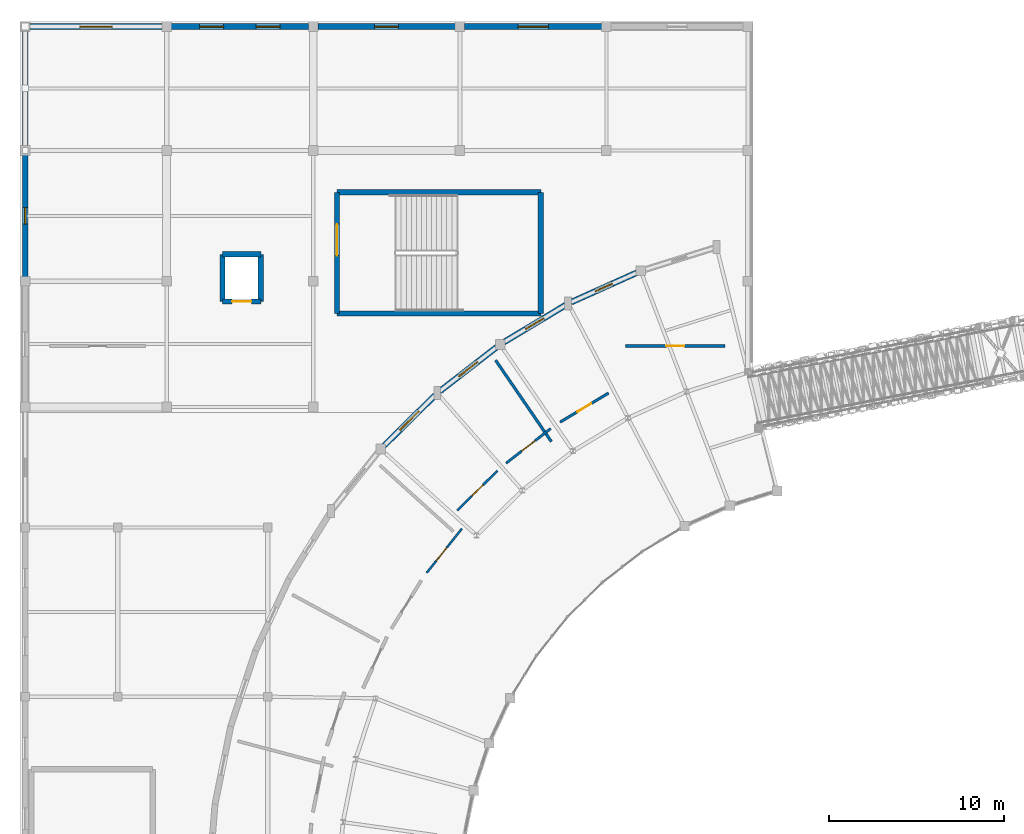
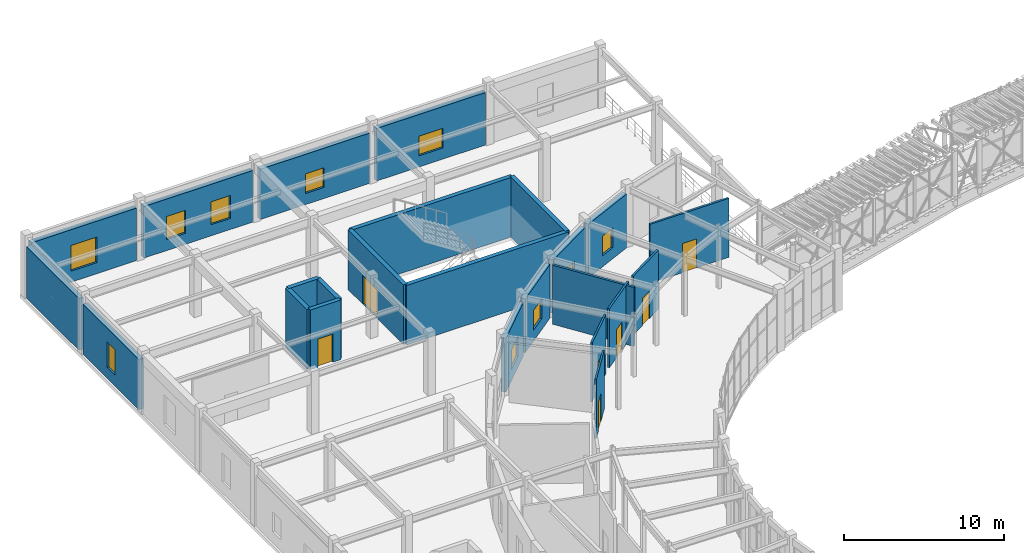
# One storey, part 108 of 144: 24 walls, 10 windows, 7 doors, 17 openings.
"""IFC4 building model written with IfcOpenShell, lengths in metres."""

from ifc_helpers import new_model, si_unit, direction, frame, frame_2d, origin, place, context, subcontext, project, spatial, rectangle, extrude, material, layer, layer_set, type_object, element, fill, save


model = new_model("IFC4")

# Units and contexts
model_context = context("Model", 3, precision=1e-05, world=origin(), true_north=direction((0.0, 1.0)))
body_context = subcontext(model_context, "Body", "Model", "MODEL_VIEW")
ifc_project = project(units=[si_unit("LENGTHUNIT", "METRE"), si_unit("AREAUNIT", "SQUARE_METRE"), si_unit("VOLUMEUNIT", "CUBIC_METRE"), si_unit("PLANEANGLEUNIT", "RADIAN"), si_unit("MASSUNIT", "GRAM", prefix="KILO")], contexts=[model_context])

# Site, building, storey
site_placement = place(None, origin())
site = spatial("IfcSite", under=ifc_project, at=site_placement, CompositionType="ELEMENT")
building_placement = place(site_placement, origin())
building = spatial("IfcBuilding", under=site, at=building_placement, Name="Cinderbank Siding Concert Hall", CompositionType="ELEMENT")
storey_placement = place(building_placement, frame((0.0, 0.0, 5.39990234375)))
storey = spatial("IfcBuildingStorey", under=building, at=storey_placement, Name="L02", CompositionType="ELEMENT", Elevation=5.39990234375)

# Wall, opening, door
ifc_material_1 = material(Name="Reinforced concrete AS 3600 N50 (50 MPa)", Category="concrete")
ifc_layer_1 = layer(ifc_material_1, 0.300048828125)
ifc_layer_set_1 = layer_set([ifc_layer_1], Name="Reinforced concrete AS 3600 N50 (50 MPa)")
wall_type_1 = type_object("IfcWallType", Name="WL-03 Structural Wall 300mm", PredefinedType="SHEAR", material=ifc_layer_set_1)
wall_1_placement = place(storey_placement, frame((24.9599609375, 101.4599609375, 0.0), z_axis=(0.0, 0.0, 1.0), x_axis=(0.0, 1.0, 0.0)))
wall_1 = element("IfcWall", 1, at=wall_1_placement, inside=storey, type_object=wall_type_1, Name="L02 ST-05 Core Wall ENTRY", PredefinedType="SHEAR", context=body_context, shape_type="SweptSolid", body=[
    extrude(rectangle(XDim=6.93994140625, YDim=0.300048828125, at=frame_2d((3.469970703125, 0.0))), origin(), (0.0, 0.0, 1.0), 4.550048828125),
])
opening_1_placement = place(wall_1_placement, frame((3.320068359375, 0.0, 0.0)))
opening_1 = element("IfcOpeningElement", 2, at=opening_1_placement, cuts=wall_1, Name="Opening D-05", PredefinedType="OPENING", context=body_context, shape_type="SweptSolid", body=[
    extrude(rectangle(XDim=1.800048828125, YDim=2.199951171875, at=frame_2d((0.89990234375, 1.10009765625))), frame((0.0, 0.162109375, 0.0), z_axis=(0.0, -1.0, 0.0), x_axis=(1.0, 0.0, 0.0)), (0.0, 0.0, 1.0), 0.323974609375),
])
ifc_material_2 = material(Name="Galvanised sheet steel acoustic fire door assembly", Category="steel")
door_type_1 = type_object("IfcDoorType", Name="D-05 Interior Door 1800x2200", OperationType="DOUBLE_DOOR_SINGLE_SWING", PredefinedType="DOOR", material=ifc_material_2)
door_1_placement = place(opening_1_placement, origin())
door_1 = element("IfcDoor", 3, at=door_1_placement, inside=storey, type_object=door_type_1, Name="L02 ST-05 Fire Stair Door L02-D031", OperationType="DOUBLE_DOOR_SINGLE_SWING", OverallHeight=2.199951171875, OverallWidth=1.800048828125, PredefinedType="DOOR", context=body_context, shape_type="SweptSolid", body=[
    extrude(rectangle(XDim=1.800048828125, YDim=2.199951171875, at=frame_2d((0.89990234375, 1.10009765625))), frame((0.0, 0.02490234375, 0.0), z_axis=(0.0, -1.0, 0.0), x_axis=(1.0, 0.0, 0.0)), (0.0, 0.0, 1.0), 0.050048828125),
])
fill(opening_1, door_1)

# Walls
wall_2_placement = place(storey_placement, frame((36.639892578125, 108.39990234375, 0.0), z_axis=(0.0, 0.0, 1.0), x_axis=(0.0, -1.0, 0.0)))
element("IfcWall", 4, at=wall_2_placement, inside=storey, type_object=wall_type_1, Name="L02 ST-05 Core Wall FAR", PredefinedType="SHEAR", context=body_context, shape_type="SweptSolid", body=[
    extrude(rectangle(XDim=6.93994140625, YDim=0.300048828125, at=frame_2d((3.469970703125, 0.0))), origin(), (0.0, 0.0, 1.0), 4.550048828125),
])
for number, where, z_axis, x_axis, name in (
    (5, (36.639892578125, 101.4599609375, 0.0), (0.0, 0.0, 1.0), (-1.0, 0.0, 0.0), "L02 ST-05 Core Wall SIDE1"),
    (6, (24.9599609375, 108.39990234375, 0.0), (0.0, 0.0, 1.0), (1.0, 0.0, 0.0), "L02 ST-05 Core Wall SIDE2"),
):
    element("IfcWall", number, at=place(storey_placement, frame(where, z_axis=z_axis, x_axis=x_axis)), inside=storey, type_object=wall_type_1, Name=name, PredefinedType="SHEAR", context=body_context, shape_type="SweptSolid", body=[
        extrude(rectangle(XDim=11.679931640625, YDim=0.300048828125, at=frame_2d((5.83984375, 0.0))), origin(), (0.0, 0.0, 1.0), 4.550048828125),
    ])

# Wall, opening, door
wall_3_placement = place(storey_placement, frame((20.60009765625, 102.14990234375, 0.0), z_axis=(0.0, 0.0, 1.0), x_axis=(-1.0, 0.0, 0.0)))
wall_3 = element("IfcWall", 7, at=wall_3_placement, inside=storey, type_object=wall_type_1, Name="L02 LF-06 Shaft Wall -Y", PredefinedType="SHEAR", context=body_context, shape_type="SweptSolid", body=[
    extrude(rectangle(XDim=2.2001953125, YDim=0.300048828125, at=frame_2d((1.10009765625, 0.0))), origin(), (0.0, 0.0, 1.0), 4.550048828125),
])
opening_2_placement = place(wall_3_placement, frame((0.550048828125, 0.0, 0.0)))
opening_2 = element("IfcOpeningElement", 8, at=opening_2_placement, cuts=wall_3, Name="Opening LD-01", PredefinedType="OPENING", context=body_context, shape_type="SweptSolid", body=[
    extrude(rectangle(XDim=1.10009765625, YDim=2.14990234375, at=frame_2d((0.550048828125, 1.074951171875))), frame((0.0, 0.162109375, 0.0), z_axis=(0.0, -1.0, 0.0), x_axis=(1.0, 0.0, 0.0)), (0.0, 0.0, 1.0), 0.323974609375),
])
door_type_2 = type_object("IfcDoorType", Name="LD-01 Interior Door 1100x2150", OperationType="DOUBLE_DOOR_SLIDING", PredefinedType="DOOR", material=ifc_material_2)
door_2_placement = place(opening_2_placement, origin())
door_2 = element("IfcDoor", 9, at=door_2_placement, inside=storey, type_object=door_type_2, Name="L02 LF-06 Sliding Landing Door", OperationType="DOUBLE_DOOR_SLIDING", OverallHeight=2.14990234375, OverallWidth=1.10009765625, PredefinedType="DOOR", context=body_context, shape_type="SweptSolid", body=[
    extrude(rectangle(XDim=1.10009765625, YDim=2.14990234375, at=frame_2d((0.550048828125, 1.074951171875))), frame((0.0, 0.02490234375, 0.0), z_axis=(0.0, -1.0, 0.0), x_axis=(1.0, 0.0, 0.0)), (0.0, 0.0, 1.0), 0.050048828125),
])
fill(opening_2, door_2)

# Walls
wall_4_placement = place(storey_placement, frame((20.60009765625, 104.85009765625, 0.0), z_axis=(0.0, 0.0, 1.0), x_axis=(0.0, -1.0, 0.0)))
element("IfcWall", 10, at=wall_4_placement, inside=storey, type_object=wall_type_1, Name="L02 LF-06 Shaft Wall +X", PredefinedType="SHEAR", context=body_context, shape_type="SweptSolid", body=[
    extrude(rectangle(XDim=2.7001953125, YDim=0.300048828125, at=frame_2d((1.35009765625, 0.0))), origin(), (0.0, 0.0, 1.0), 4.550048828125),
])
wall_5_placement = place(storey_placement, frame((18.39990234375, 104.85009765625, 0.0), z_axis=(0.0, 0.0, 1.0), x_axis=(1.0, 0.0, 0.0)))
element("IfcWall", 11, at=wall_5_placement, inside=storey, type_object=wall_type_1, Name="L02 LF-06 Shaft Wall +Y", PredefinedType="SHEAR", context=body_context, shape_type="SweptSolid", body=[
    extrude(rectangle(XDim=2.2001953125, YDim=0.300048828125, at=frame_2d((1.10009765625, 0.0))), origin(), (0.0, 0.0, 1.0), 4.550048828125),
])
wall_6_placement = place(storey_placement, frame((18.39990234375, 102.14990234375, 0.0), z_axis=(0.0, 0.0, 1.0), x_axis=(0.0, 1.0, 0.0)))
element("IfcWall", 12, at=wall_6_placement, inside=storey, type_object=wall_type_1, Name="L02 LF-06 Shaft Wall -X", PredefinedType="SHEAR", context=body_context, shape_type="SweptSolid", body=[
    extrude(rectangle(XDim=2.7001953125, YDim=0.300048828125, at=frame_2d((1.35009765625, 0.0))), origin(), (0.0, 0.0, 1.0), 4.550048828125),
])

# Wall, opening, window
ifc_material_3 = material(Name="Clinker clay brickwork masonry AS 3700 (20 MPa)", Category="masonry")
ifc_layer_2 = layer(ifc_material_3, 0.340087890625)
ifc_layer_set_2 = layer_set([ifc_layer_2], Name="Clinker clay brickwork masonry AS 3700 (20 MPa)")
wall_type_2 = type_object("IfcWallType", Name="WL-07 Exterior Wall 340mm", PredefinedType="STANDARD", material=ifc_layer_set_2)
wall_7_placement = place(storey_placement, frame((42.126708984375, 103.790771484375, 0.0), z_axis=(0.0, 0.0, 1.0), x_axis=(-0.912105926967, -0.409954604794, 0.0)))
wall_7 = element("IfcWall", 13, at=wall_7_placement, inside=storey, type_object=wall_type_2, Name="L02 Facade Wall EW-WOUT-L02-02", PredefinedType="STANDARD", context=body_context, shape_type="SweptSolid", body=[
    extrude(rectangle(XDim=4.10986328125, YDim=0.340087890625, at=frame_2d((2.054931640625, 0.0))), origin(), (0.0, 0.0, 1.0), 4.107177734375),
])
opening_3_placement = place(wall_7_placement, frame((1.514892578125, 0.0, 0.85009765625)))
opening_3 = element("IfcOpeningElement", 14, at=opening_3_placement, cuts=wall_7, Name="Opening WN-26", PredefinedType="OPENING", context=body_context, shape_type="SweptSolid", body=[
    extrude(rectangle(XDim=1.080078125, YDim=1.5, at=frame_2d((0.5400390625, 0.75))), frame((0.0, 0.18212890625, 0.0), z_axis=(0.0, -1.0, 0.0), x_axis=(1.0, 0.0, 0.0)), (0.0, 0.0, 1.0), 0.364013671875),
])
ifc_material_4 = material(Name="Double-glazed laminated acoustic glass", Category="glass")
window_type_1 = type_object("IfcWindowType", Name="WN-26 Acoustic Casement Window 1080x1500", PartitioningType="DOUBLE_PANEL_VERTICAL", PredefinedType="WINDOW", material=ifc_material_4)
window_1_placement = place(opening_3_placement, origin())
window_1 = element("IfcWindow", 15, at=window_1_placement, inside=storey, type_object=window_type_1, Name="L02 Facade Window #12", OverallHeight=1.5, OverallWidth=1.080078125, PartitioningType="DOUBLE_PANEL_VERTICAL", PredefinedType="WINDOW", context=body_context, shape_type="SweptSolid", body=[
    extrude(rectangle(XDim=1.080078125, YDim=1.5, at=frame_2d((0.5400390625, 0.75))), frame((0.0, 0.030029296875, 0.0), z_axis=(0.0, -1.0, 0.0), x_axis=(1.0, 0.0, 0.0)), (0.0, 0.0, 1.0), 0.06005859375),
])
fill(opening_3, window_1)

wall_8_placement = place(storey_placement, frame((34.5283203125, 99.818359375, 0.0), z_axis=(0.0, 0.0, 1.0), x_axis=(0.85717299245, 0.515028602131, 0.0)))
wall_8 = element("IfcWall", 16, at=wall_8_placement, inside=storey, type_object=wall_type_2, Name="L02 Facade Wall EW-WOUT-L02-03", PredefinedType="STANDARD", context=body_context, shape_type="SweptSolid", body=[
    extrude(rectangle(XDim=4.109375, YDim=0.340087890625, at=frame_2d((2.0546875, 0.0))), origin(), (0.0, 0.0, 1.0), 4.107177734375),
])
opening_4_placement = place(wall_8_placement, frame((1.44482421875, 0.0, 0.85009765625)))
opening_4 = element("IfcOpeningElement", 17, at=opening_4_placement, cuts=wall_8, Name="Opening WN-27", PredefinedType="OPENING", context=body_context, shape_type="SweptSolid", body=[
    extrude(rectangle(XDim=1.219970703125, YDim=1.5, at=frame_2d((0.60986328125, 0.75))), frame((0.0, 0.18212890625, 0.0), z_axis=(0.0, -1.0, 0.0), x_axis=(1.0, 0.0, 0.0)), (0.0, 0.0, 1.0), 0.364013671875),
])
window_type_2 = type_object("IfcWindowType", Name="WN-27 Acoustic Casement Window 1220x1500", PartitioningType="DOUBLE_PANEL_VERTICAL", PredefinedType="WINDOW", material=ifc_material_4)
window_2_placement = place(opening_4_placement, origin())
window_2 = element("IfcWindow", 18, at=window_2_placement, inside=storey, type_object=window_type_2, Name="L02 Facade Window #13", OverallHeight=1.5, OverallWidth=1.219970703125, PartitioningType="DOUBLE_PANEL_VERTICAL", PredefinedType="WINDOW", context=body_context, shape_type="SweptSolid", body=[
    extrude(rectangle(XDim=1.219970703125, YDim=1.5, at=frame_2d((0.60986328125, 0.75))), frame((0.0, 0.030029296875, 0.0), z_axis=(0.0, -1.0, 0.0), x_axis=(1.0, 0.0, 0.0)), (0.0, 0.0, 1.0), 0.06005859375),
])
fill(opening_4, window_2)

wall_9_placement = place(storey_placement, frame((34.099853515625, 99.52490234375, 0.0), z_axis=(0.0, 0.0, 1.0), x_axis=(-0.790164022378, -0.612895437852, 0.0)))
wall_9 = element("IfcWall", 19, at=wall_9_placement, inside=storey, type_object=wall_type_2, Name="L02 Facade Wall EW-WOUT-L02-04", PredefinedType="STANDARD", context=body_context, shape_type="SweptSolid", body=[
    extrude(rectangle(XDim=4.109619140625, YDim=0.340087890625, at=frame_2d((2.0546875, 0.0))), origin(), (0.0, 0.0, 1.0), 4.107177734375),
])
opening_5_placement = place(wall_9_placement, frame((1.375, 0.0, 0.85009765625)))
opening_5 = element("IfcOpeningElement", 20, at=opening_5_placement, cuts=wall_9, Name="Opening WN-28", PredefinedType="OPENING", context=body_context, shape_type="SweptSolid", body=[
    extrude(rectangle(XDim=1.360107421875, YDim=1.5, at=frame_2d((0.68017578125, 0.75))), frame((0.0, 0.18212890625, 0.0), z_axis=(0.0, -1.0, 0.0), x_axis=(1.0, 0.0, 0.0)), (0.0, 0.0, 1.0), 0.364013671875),
])
window_type_3 = type_object("IfcWindowType", Name="WN-28 Acoustic Casement Window 1360x1500", PartitioningType="DOUBLE_PANEL_VERTICAL", PredefinedType="WINDOW", material=ifc_material_4)
window_3_placement = place(opening_5_placement, origin())
window_3 = element("IfcWindow", 21, at=window_3_placement, inside=storey, type_object=window_type_3, Name="L02 Facade Window #14", OverallHeight=1.5, OverallWidth=1.360107421875, PartitioningType="DOUBLE_PANEL_VERTICAL", PredefinedType="WINDOW", context=body_context, shape_type="SweptSolid", body=[
    extrude(rectangle(XDim=1.360107421875, YDim=1.5, at=frame_2d((0.68017578125, 0.75))), frame((0.0, 0.030029296875, 0.0), z_axis=(0.0, -1.0, 0.0), x_axis=(1.0, 0.0, 0.0)), (0.0, 0.0, 1.0), 0.06005859375),
])
fill(opening_5, window_3)

wall_10_placement = place(storey_placement, frame((30.57470703125, 96.7626953125, 0.0), z_axis=(0.0, 0.0, 1.0), x_axis=(-0.712079133949, -0.702099214495, 0.0)))
wall_10 = element("IfcWall", 22, at=wall_10_placement, inside=storey, type_object=wall_type_2, Name="L02 Facade Wall EW-WOUT-L02-05", PredefinedType="STANDARD", context=body_context, shape_type="SweptSolid", body=[
    extrude(rectangle(XDim=4.10986328125, YDim=0.340087890625, at=frame_2d((2.054931640625, 0.0))), origin(), (0.0, 0.0, 1.0), 4.107177734375),
])
opening_6_placement = place(wall_10_placement, frame((1.27978515625, 0.0, 0.85009765625)))
opening_6 = element("IfcOpeningElement", 23, at=opening_6_placement, cuts=wall_10, Name="Opening WN-29", PredefinedType="OPENING", context=body_context, shape_type="SweptSolid", body=[
    extrude(rectangle(XDim=1.550048828125, YDim=1.5, at=frame_2d((0.77490234375, 0.75))), frame((0.0, 0.18212890625, 0.0), z_axis=(0.0, -1.0, 0.0), x_axis=(1.0, 0.0, 0.0)), (0.0, 0.0, 1.0), 0.364013671875),
])
window_type_4 = type_object("IfcWindowType", Name="WN-29 Acoustic Casement Window 1550x1500", PartitioningType="DOUBLE_PANEL_VERTICAL", PredefinedType="WINDOW", material=ifc_material_4)
window_4_placement = place(opening_6_placement, origin())
window_4 = element("IfcWindow", 24, at=window_4_placement, inside=storey, type_object=window_type_4, Name="L02 Facade Window #15", OverallHeight=1.5, OverallWidth=1.550048828125, PartitioningType="DOUBLE_PANEL_VERTICAL", PredefinedType="WINDOW", context=body_context, shape_type="SweptSolid", body=[
    extrude(rectangle(XDim=1.550048828125, YDim=1.5, at=frame_2d((0.77490234375, 0.75))), frame((0.0, 0.030029296875, 0.0), z_axis=(0.0, -1.0, 0.0), x_axis=(1.0, 0.0, 0.0)), (0.0, 0.0, 1.0), 0.06005859375),
])
fill(opening_6, window_4)

wall_11_placement = place(storey_placement, frame((7.10009765625, 103.56005859375, 0.0), z_axis=(0.0, 0.0, 1.0), x_axis=(0.0, 1.0, 0.0)))
wall_11 = element("IfcWall", 25, at=wall_11_placement, inside=storey, type_object=wall_type_2, Name="L02 Facade Wall EW-NW-W2-L02", PredefinedType="STANDARD", context=body_context, shape_type="SweptSolid", body=[
    extrude(rectangle(XDim=6.97998046875, YDim=0.340087890625, at=frame_2d((3.489990234375, 0.0))), origin(), (0.0, 0.0, 1.0), 3.837158203125),
])
opening_7_placement = place(wall_11_placement, frame((3.014892578125, 0.0, 0.85009765625)))
opening_7 = element("IfcOpeningElement", 26, at=opening_7_placement, cuts=wall_11, Name="Opening WN-10", PredefinedType="OPENING", context=body_context, shape_type="SweptSolid", body=[
    extrude(rectangle(XDim=0.949951171875, YDim=1.949951171875, at=frame_2d((0.47509765625, 0.97509765625))), frame((0.0, 0.18212890625, 0.0), z_axis=(0.0, -1.0, 0.0), x_axis=(1.0, 0.0, 0.0)), (0.0, 0.0, 1.0), 0.364013671875),
])
window_type_5 = type_object("IfcWindowType", Name="WN-10 Acoustic Casement Window 950x1950", PartitioningType="DOUBLE_PANEL_VERTICAL", PredefinedType="WINDOW", material=ifc_material_4)
window_5_placement = place(opening_7_placement, origin())
window_5 = element("IfcWindow", 27, at=window_5_placement, inside=storey, type_object=window_type_5, Name="L02 Facade Window #118", OverallHeight=1.949951171875, OverallWidth=0.949951171875, PartitioningType="DOUBLE_PANEL_VERTICAL", PredefinedType="WINDOW", context=body_context, shape_type="SweptSolid", body=[
    extrude(rectangle(XDim=0.949951171875, YDim=1.949951171875, at=frame_2d((0.47509765625, 0.97509765625))), frame((0.0, 0.030029296875, 0.0), z_axis=(0.0, -1.0, 0.0), x_axis=(1.0, 0.0, 0.0)), (0.0, 0.0, 1.0), 0.06005859375),
])
fill(opening_7, window_5)

# Wall
wall_12_placement = place(storey_placement, frame((7.10009765625, 111.06005859375, 0.0), z_axis=(0.0, 0.0, 1.0), x_axis=(0.0, 1.0, 0.0)))
element("IfcWall", 28, at=wall_12_placement, inside=storey, type_object=wall_type_2, Name="L02 Facade Wall EW-NW-W3-L02", PredefinedType="STANDARD", context=body_context, shape_type="SweptSolid", body=[
    extrude(rectangle(XDim=6.579833984375, YDim=0.340087890625, at=frame_2d((3.2900390625, 0.0))), origin(), (0.0, 0.0, 1.0), 3.934814453125),
])

# Wall, opening, window
wall_13_placement = place(storey_placement, frame((7.360107421875, 117.89990234375, 0.0), z_axis=(0.0, 0.0, 1.0), x_axis=(1.0, 0.0, 0.0)))
wall_13 = element("IfcWall", 29, at=wall_13_placement, inside=storey, type_object=wall_type_2, Name="L02 Facade Wall EW-NW-N0-L02", PredefinedType="STANDARD", context=body_context, shape_type="SweptSolid", body=[
    extrude(rectangle(XDim=7.579833984375, YDim=0.340087890625, at=frame_2d((3.7900390625, 0.0))), origin(), (0.0, 0.0, 1.0), 4.0087890625),
])
opening_8_placement = place(wall_13_placement, frame((2.864990234375, 0.0, 0.85009765625)))
opening_8 = element("IfcOpeningElement", 30, at=opening_8_placement, cuts=wall_13, Name="Opening WN-16", PredefinedType="OPENING", context=body_context, shape_type="SweptSolid", body=[
    extrude(rectangle(XDim=1.85009765625, YDim=1.949951171875, at=frame_2d((0.925048828125, 0.97509765625))), frame((0.0, 0.18212890625, 0.0), z_axis=(0.0, -1.0, 0.0), x_axis=(1.0, 0.0, 0.0)), (0.0, 0.0, 1.0), 0.364013671875),
])
window_type_6 = type_object("IfcWindowType", Name="WN-16 Acoustic Casement Window 1850x1950", PartitioningType="DOUBLE_PANEL_VERTICAL", PredefinedType="WINDOW", material=ifc_material_4)
window_6_placement = place(opening_8_placement, origin())
window_6 = element("IfcWindow", 31, at=window_6_placement, inside=storey, type_object=window_type_6, Name="L02 Facade Window #124", OverallHeight=1.949951171875, OverallWidth=1.85009765625, PartitioningType="DOUBLE_PANEL_VERTICAL", PredefinedType="WINDOW", context=body_context, shape_type="SweptSolid", body=[
    extrude(rectangle(XDim=1.85009765625, YDim=1.949951171875, at=frame_2d((0.925048828125, 0.97509765625))), frame((0.0, 0.030029296875, 0.0), z_axis=(0.0, -1.0, 0.0), x_axis=(1.0, 0.0, 0.0)), (0.0, 0.0, 1.0), 0.06005859375),
])
fill(opening_8, window_6)

# Wall, openings, windows
wall_14_placement = place(storey_placement, frame((15.4599609375, 117.89990234375, 0.0), z_axis=(0.0, 0.0, 1.0), x_axis=(1.0, 0.0, 0.0)))
wall_14 = element("IfcWall", 32, at=wall_14_placement, inside=storey, type_object=wall_type_2, Name="L02 Facade Wall EW-NW-N1-L02", PredefinedType="STANDARD", context=body_context, shape_type="SweptSolid", body=[
    extrude(rectangle(XDim=7.880126953125, YDim=0.340087890625, at=frame_2d((3.93994140625, 0.0))), origin(), (0.0, 0.0, 1.0), 3.934814453125),
])
opening_9_placement = place(wall_14_placement, frame((1.6298828125, 0.0, 0.85009765625)))
opening_9 = element("IfcOpeningElement", 33, at=opening_9_placement, cuts=wall_14, Name="Opening WN-21", PredefinedType="OPENING", context=body_context, shape_type="SweptSolid", body=[
    extrude(rectangle(XDim=1.3798828125, YDim=1.75, at=frame_2d((0.68994140625, 0.875))), frame((0.0, 0.18212890625, 0.0), z_axis=(0.0, -1.0, 0.0), x_axis=(1.0, 0.0, 0.0)), (0.0, 0.0, 1.0), 0.364013671875),
])
opening_10_placement = place(wall_14_placement, frame((4.8701171875, 0.0, 0.85009765625)))
opening_10 = element("IfcOpeningElement", 34, at=opening_10_placement, cuts=wall_14, Name="Opening WN-21", PredefinedType="OPENING", context=body_context, shape_type="SweptSolid", body=[
    extrude(rectangle(XDim=1.3798828125, YDim=1.75, at=frame_2d((0.68994140625, 0.875))), frame((0.0, 0.18212890625, 0.0), z_axis=(0.0, -1.0, 0.0), x_axis=(1.0, 0.0, 0.0)), (0.0, 0.0, 1.0), 0.364013671875),
])
window_type_7 = type_object("IfcWindowType", Name="WN-21 Acoustic Casement Window 1380x1750", PartitioningType="DOUBLE_PANEL_VERTICAL", PredefinedType="WINDOW", material=ifc_material_4)
window_7_placement = place(opening_9_placement, origin())
window_7 = element("IfcWindow", 35, at=window_7_placement, inside=storey, type_object=window_type_7, Name="L02 Facade Window #129", OverallHeight=1.75, OverallWidth=1.3798828125, PartitioningType="DOUBLE_PANEL_VERTICAL", PredefinedType="WINDOW", context=body_context, shape_type="SweptSolid", body=[
    extrude(rectangle(XDim=1.3798828125, YDim=1.75, at=frame_2d((0.68994140625, 0.875))), frame((0.0, 0.030029296875, 0.0), z_axis=(0.0, -1.0, 0.0), x_axis=(1.0, 0.0, 0.0)), (0.0, 0.0, 1.0), 0.06005859375),
])
fill(opening_9, window_7)
window_8_placement = place(opening_10_placement, origin())
window_8 = element("IfcWindow", 36, at=window_8_placement, inside=storey, type_object=window_type_7, Name="L02 Facade Window #130", OverallHeight=1.75, OverallWidth=1.3798828125, PartitioningType="DOUBLE_PANEL_VERTICAL", PredefinedType="WINDOW", context=body_context, shape_type="SweptSolid", body=[
    extrude(rectangle(XDim=1.3798828125, YDim=1.75, at=frame_2d((0.68994140625, 0.875))), frame((0.0, 0.030029296875, 0.0), z_axis=(0.0, -1.0, 0.0), x_axis=(1.0, 0.0, 0.0)), (0.0, 0.0, 1.0), 0.06005859375),
])
fill(opening_10, window_8)

# Wall, opening, window
wall_15_placement = place(storey_placement, frame((23.860107421875, 117.89990234375, 0.0), z_axis=(0.0, 0.0, 1.0), x_axis=(1.0, 0.0, 0.0)))
wall_15 = element("IfcWall", 37, at=wall_15_placement, inside=storey, type_object=wall_type_2, Name="L02 Facade Wall EW-NW-N1B-L02", PredefinedType="STANDARD", context=body_context, shape_type="SweptSolid", body=[
    extrude(rectangle(XDim=7.8798828125, YDim=0.340087890625, at=frame_2d((3.93994140625, 0.0))), origin(), (0.0, 0.0, 1.0), 3.837158203125),
])
opening_11_placement = place(wall_15_placement, frame((3.260009765625, 0.0, 0.85009765625)))
opening_11 = element("IfcOpeningElement", 38, at=opening_11_placement, cuts=wall_15, Name="Opening WN-28", PredefinedType="OPENING", context=body_context, shape_type="SweptSolid", body=[
    extrude(rectangle(XDim=1.360107421875, YDim=1.5, at=frame_2d((0.68017578125, 0.75))), frame((0.0, 0.18212890625, 0.0), z_axis=(0.0, -1.0, 0.0), x_axis=(1.0, 0.0, 0.0)), (0.0, 0.0, 1.0), 0.364013671875),
])
window_9_placement = place(opening_11_placement, origin())
window_9 = element("IfcWindow", 39, at=window_9_placement, inside=storey, type_object=window_type_3, Name="L02 Facade Window #135", OverallHeight=1.5, OverallWidth=1.360107421875, PartitioningType="DOUBLE_PANEL_VERTICAL", PredefinedType="WINDOW", context=body_context, shape_type="SweptSolid", body=[
    extrude(rectangle(XDim=1.360107421875, YDim=1.5, at=frame_2d((0.68017578125, 0.75))), frame((0.0, 0.030029296875, 0.0), z_axis=(0.0, -1.0, 0.0), x_axis=(1.0, 0.0, 0.0)), (0.0, 0.0, 1.0), 0.06005859375),
])
fill(opening_11, window_9)

wall_16_placement = place(storey_placement, frame((32.260009765625, 117.89990234375, 0.0), z_axis=(0.0, 0.0, 1.0), x_axis=(1.0, 0.0, 0.0)))
wall_16 = element("IfcWall", 40, at=wall_16_placement, inside=storey, type_object=wall_type_2, Name="L02 Facade Wall EW-NW-N2-L02", PredefinedType="STANDARD", context=body_context, shape_type="SweptSolid", body=[
    extrude(rectangle(XDim=7.8798828125, YDim=0.340087890625, at=frame_2d((3.93994140625, 0.0))), origin(), (0.0, 0.0, 1.0), 4.0087890625),
])
opening_12_placement = place(wall_16_placement, frame((3.06494140625, 0.0, 0.85009765625)))
opening_12 = element("IfcOpeningElement", 41, at=opening_12_placement, cuts=wall_16, Name="Opening WN-30", PredefinedType="OPENING", context=body_context, shape_type="SweptSolid", body=[
    extrude(rectangle(XDim=1.75, YDim=1.5, at=frame_2d((0.875, 0.75))), frame((0.0, 0.18212890625, 0.0), z_axis=(0.0, -1.0, 0.0), x_axis=(1.0, 0.0, 0.0)), (0.0, 0.0, 1.0), 0.364013671875),
])
window_type_8 = type_object("IfcWindowType", Name="WN-30 Acoustic Casement Window 1750x1500", PartitioningType="DOUBLE_PANEL_VERTICAL", PredefinedType="WINDOW", material=ifc_material_4)
window_10_placement = place(opening_12_placement, origin())
window_10 = element("IfcWindow", 42, at=window_10_placement, inside=storey, type_object=window_type_8, Name="L02 Facade Window #138", OverallHeight=1.5, OverallWidth=1.75, PartitioningType="DOUBLE_PANEL_VERTICAL", PredefinedType="WINDOW", context=body_context, shape_type="SweptSolid", body=[
    extrude(rectangle(XDim=1.75, YDim=1.5, at=frame_2d((0.875, 0.75))), frame((0.0, 0.030029296875, 0.0), z_axis=(0.0, -1.0, 0.0), x_axis=(1.0, 0.0, 0.0)), (0.0, 0.0, 1.0), 0.06005859375),
])
fill(opening_12, window_10)

# Wall
ifc_material_5 = material(Name="Acoustic plasterboard on light-gauge steel studs", Category="gypsum")
ifc_layer_3 = layer(ifc_material_5, 0.159912109375)
ifc_layer_set_3 = layer_set([ifc_layer_3], Name="Acoustic plasterboard on light-gauge steel studs")
wall_type_3 = type_object("IfcWallType", Name="WL-14 Interior Wall 160mm", PredefinedType="PARTITIONING", material=ifc_layer_set_3)
wall_17_placement = place(storey_placement, frame((37.2421875, 94.12060546875, 0.0), z_axis=(0.0, 0.0, 1.0), x_axis=(-0.5649286392, 0.825139765501, 0.0)))
element("IfcWall", 43, at=wall_17_placement, inside=storey, type_object=wall_type_3, Name="L02 Radial Studio Demising Wall W04", PredefinedType="PARTITIONING", context=body_context, shape_type="SweptSolid", body=[
    extrude(rectangle(XDim=5.650146484375, YDim=0.159912109375, at=frame_2d((2.8251953125, 0.0))), origin(), (0.0, 0.0, 1.0), 4.505126953125),
])

# Wall, opening, door
ifc_layer_4 = layer(ifc_material_5, 0.14990234375)
ifc_layer_set_4 = layer_set([ifc_layer_4], Name="Acoustic plasterboard on light-gauge steel studs")
wall_type_4 = type_object("IfcWallType", Name="WL-15 Interior Wall 150mm", PredefinedType="PARTITIONING", material=ifc_layer_set_4)
wall_18_placement = place(storey_placement, frame((40.522216796875, 96.90185546875, 0.0), z_axis=(0.0, 0.0, 1.0), x_axis=(-0.857160006547, -0.515050214229, 0.0)))
wall_18 = element("IfcWall", 44, at=wall_18_placement, inside=storey, type_object=wall_type_4, Name="L02 Partition Studio Bay W03", PredefinedType="PARTITIONING", context=body_context, shape_type="SweptSolid", body=[
    extrude(rectangle(XDim=3.237060546875, YDim=0.14990234375, at=frame_2d((1.61865234375, 0.0))), origin(), (0.0, 0.0, 1.0), 4.505126953125),
])
opening_13_placement = place(wall_18_placement, frame((1.158447265625, 0.0, 0.0)))
opening_13 = element("IfcOpeningElement", 45, at=opening_13_placement, cuts=wall_18, Name="Opening D-09", PredefinedType="OPENING", context=body_context, shape_type="SweptSolid", body=[
    extrude(rectangle(XDim=0.919921875, YDim=2.10009765625, at=frame_2d((0.4599609375, 1.050048828125))), frame((0.0, 0.0869140625, 0.0), z_axis=(0.0, -1.0, 0.0), x_axis=(1.0, 0.0, 0.0)), (0.0, 0.0, 1.0), 0.173828125),
])
ifc_material_6 = material(Name="Solid-core spotted gum acoustic timber", Category="wood")
door_type_3 = type_object("IfcDoorType", Name="D-09 Interior Door 920x2100", OperationType="NOTDEFINED", PredefinedType="DOOR", material=ifc_material_6)
door_3_placement = place(opening_13_placement, origin())
door_3 = element("IfcDoor", 46, at=door_3_placement, inside=storey, type_object=door_type_3, Name="L02 Studio Bay W03 Door L02-D199", OperationType="SINGLE_SWING_RIGHT", OverallHeight=2.10009765625, OverallWidth=0.919921875, PredefinedType="DOOR", context=body_context, shape_type="SweptSolid", body=[
    extrude(rectangle(XDim=0.919921875, YDim=2.10009765625, at=frame_2d((0.4599609375, 1.050048828125))), frame((0.0, 0.02490234375, 0.0), z_axis=(0.0, -1.0, 0.0), x_axis=(1.0, 0.0, 0.0)), (0.0, 0.0, 1.0), 0.050048828125),
])
fill(opening_13, door_3)

wall_19_placement = place(storey_placement, frame((41.5, 99.60009765625, 0.0), z_axis=(0.0, 0.0, 1.0), x_axis=(1.0, 0.0, 0.0)))
wall_19 = element("IfcWall", 47, at=wall_19_placement, inside=storey, type_object=wall_type_4, Name="L02 Partition Principal Dressing Suite 2", PredefinedType="PARTITIONING", context=body_context, shape_type="SweptSolid", body=[
    extrude(rectangle(XDim=5.699951171875, YDim=0.14990234375, at=frame_2d((2.85009765625, 0.0))), origin(), (0.0, 0.0, 1.0), 4.505126953125),
])
opening_14_placement = place(wall_19_placement, frame((2.340087890625, 0.0, 0.0)))
opening_14 = element("IfcOpeningElement", 48, at=opening_14_placement, cuts=wall_19, Name="Opening D-17", PredefinedType="OPENING", context=body_context, shape_type="SweptSolid", body=[
    extrude(rectangle(XDim=1.02001953125, YDim=2.219970703125, at=frame_2d((0.510009765625, 1.10986328125))), frame((0.0, 0.0869140625, 0.0), z_axis=(0.0, -1.0, 0.0), x_axis=(1.0, 0.0, 0.0)), (0.0, 0.0, 1.0), 0.173828125),
])
door_type_4 = type_object("IfcDoorType", Name="D-17 Interior Door 1020x2220", OperationType="NOTDEFINED", PredefinedType="DOOR", material=ifc_material_6)
door_4_placement = place(opening_14_placement, origin())
door_4 = element("IfcDoor", 49, at=door_4_placement, inside=storey, type_object=door_type_4, Name="L02 Principal Dressing Suite 2 Door L02-D263", OperationType="SINGLE_SWING_LEFT", OverallHeight=2.219970703125, OverallWidth=1.02001953125, PredefinedType="DOOR", context=body_context, shape_type="SweptSolid", body=[
    extrude(rectangle(XDim=1.02001953125, YDim=2.219970703125, at=frame_2d((0.510009765625, 1.10986328125))), frame((0.0, 0.02490234375, 0.0), z_axis=(0.0, -1.0, 0.0), x_axis=(1.0, 0.0, 0.0)), (0.0, 0.0, 1.0), 0.050048828125),
])
fill(opening_14, door_4)

ifc_layer_5 = layer(ifc_material_5, 0.139892578125)
ifc_layer_set_5 = layer_set([ifc_layer_5], Name="Acoustic plasterboard on light-gauge steel studs")
wall_type_5 = type_object("IfcWallType", Name="WL-16 Interior Wall 140mm", PredefinedType="PARTITIONING", material=ifc_layer_set_5)
wall_20_placement = place(storey_placement, frame((37.208984375, 94.865966796875, 0.0), z_axis=(0.0, 0.0, 1.0), x_axis=(-0.790184021541, -0.612869653435, 0.0)))
wall_20 = element("IfcWall", 50, at=wall_20_placement, inside=storey, type_object=wall_type_5, Name="L02 Partition Studio Bay W04", PredefinedType="PARTITIONING", context=body_context, shape_type="SweptSolid", body=[
    extrude(rectangle(XDim=3.237060546875, YDim=0.139892578125, at=frame_2d((1.61865234375, 0.0))), origin(), (0.0, 0.0, 1.0), 4.505126953125),
])
opening_15_placement = place(wall_20_placement, frame((1.12841796875, 0.0, 0.0)))
opening_15 = element("IfcOpeningElement", 51, at=opening_15_placement, cuts=wall_20, Name="Opening D-10", PredefinedType="OPENING", context=body_context, shape_type="SweptSolid", body=[
    extrude(rectangle(XDim=0.97998046875, YDim=2.14990234375, at=frame_2d((0.489990234375, 1.074951171875))), frame((0.0, 0.08203125, 0.0), z_axis=(0.0, -1.0, 0.0), x_axis=(1.0, 0.0, 0.0)), (0.0, 0.0, 1.0), 0.163818359375),
])
door_type_5 = type_object("IfcDoorType", Name="D-10 Interior Door 980x2150", OperationType="NOTDEFINED", PredefinedType="DOOR", material=ifc_material_6)
door_5_placement = place(opening_15_placement, origin())
door_5 = element("IfcDoor", 52, at=door_5_placement, inside=storey, type_object=door_type_5, Name="L02 Studio Bay W04 Door L02-D200", OperationType="SINGLE_SWING_LEFT", OverallHeight=2.14990234375, OverallWidth=0.97998046875, PredefinedType="DOOR", context=body_context, shape_type="SweptSolid", body=[
    extrude(rectangle(XDim=0.97998046875, YDim=2.14990234375, at=frame_2d((0.489990234375, 1.074951171875))), frame((0.0, 0.02490234375, 0.0), z_axis=(0.0, -1.0, 0.0), x_axis=(1.0, 0.0, 0.0)), (0.0, 0.0, 1.0), 0.050048828125),
])
fill(opening_15, door_5)

ifc_layer_6 = layer(ifc_material_5, 0.1298828125)
ifc_layer_set_6 = layer_set([ifc_layer_6], Name="Acoustic plasterboard on light-gauge steel studs")
wall_type_6 = type_object("IfcWallType", Name="WL-17 Interior Wall 130mm", PredefinedType="PARTITIONING", material=ifc_layer_set_6)
wall_21_placement = place(storey_placement, frame((34.16015625, 92.4521484375, 0.0), z_axis=(0.0, 0.0, 1.0), x_axis=(-0.712029460831, -0.702149590122, 0.0)))
wall_21 = element("IfcWall", 53, at=wall_21_placement, inside=storey, type_object=wall_type_6, Name="L02 Partition Studio Bay W05", PredefinedType="PARTITIONING", context=body_context, shape_type="SweptSolid", body=[
    extrude(rectangle(XDim=3.237060546875, YDim=0.1298828125, at=frame_2d((1.61865234375, 0.0))), origin(), (0.0, 0.0, 1.0), 4.505126953125),
])
opening_16_placement = place(wall_21_placement, frame((1.16845703125, 0.0, 0.0)))
opening_16 = element("IfcOpeningElement", 54, at=opening_16_placement, cuts=wall_21, Name="Opening D-15", PredefinedType="OPENING", context=body_context, shape_type="SweptSolid", body=[
    extrude(rectangle(XDim=0.89990234375, YDim=2.10009765625, at=frame_2d((0.449951171875, 1.050048828125))), frame((0.0, 0.076904296875, 0.0), z_axis=(0.0, -1.0, 0.0), x_axis=(1.0, 0.0, 0.0)), (0.0, 0.0, 1.0), 0.15380859375),
])
door_type_6 = type_object("IfcDoorType", Name="D-15 Interior Door 900x2100", OperationType="NOTDEFINED", PredefinedType="DOOR", material=ifc_material_6)
door_6_placement = place(opening_16_placement, origin())
door_6 = element("IfcDoor", 55, at=door_6_placement, inside=storey, type_object=door_type_6, Name="L02 Studio Bay W05 Door L02-D201", OperationType="SINGLE_SWING_RIGHT", OverallHeight=2.10009765625, OverallWidth=0.89990234375, PredefinedType="DOOR", context=body_context, shape_type="SweptSolid", body=[
    extrude(rectangle(XDim=0.89990234375, YDim=2.10009765625, at=frame_2d((0.449951171875, 1.050048828125))), frame((0.0, 0.02490234375, 0.0), z_axis=(0.0, -1.0, 0.0), x_axis=(1.0, 0.0, 0.0)), (0.0, 0.0, 1.0), 0.050048828125),
])
fill(opening_16, door_6)

ifc_layer_7 = layer(ifc_material_5, 0.1201171875)
ifc_layer_set_7 = layer_set([ifc_layer_7], Name="Acoustic plasterboard on light-gauge steel studs")
wall_type_7 = type_object("IfcWallType", Name="WL-18 Interior Wall 120mm", PredefinedType="PARTITIONING", material=ifc_layer_set_7)
wall_22_placement = place(storey_placement, frame((32.121826171875, 89.132568359375, 0.0), z_axis=(0.0, 0.0, 1.0), x_axis=(-0.623885312235, -0.781515909741, 0.0)))
wall_22 = element("IfcWall", 56, at=wall_22_placement, inside=storey, type_object=wall_type_7, Name="L02 Partition Studio Bay W06", PredefinedType="PARTITIONING", context=body_context, shape_type="SweptSolid", body=[
    extrude(rectangle(XDim=3.237060546875, YDim=0.1201171875, at=frame_2d((1.61865234375, 0.0))), origin(), (0.0, 0.0, 1.0), 4.505126953125),
])
opening_17_placement = place(wall_22_placement, frame((1.388427734375, 0.0, 0.0)))
opening_17 = element("IfcOpeningElement", 57, at=opening_17_placement, cuts=wall_22, Name="Opening D-16", PredefinedType="OPENING", context=body_context, shape_type="SweptSolid", body=[
    extrude(rectangle(XDim=0.9599609375, YDim=2.179931640625, at=frame_2d((0.47998046875, 1.08984375))), frame((0.0, 0.072021484375, 0.0), z_axis=(0.0, -1.0, 0.0), x_axis=(1.0, 0.0, 0.0)), (0.0, 0.0, 1.0), 0.14404296875),
])
door_type_7 = type_object("IfcDoorType", Name="D-16 Interior Door 960x2180", OperationType="NOTDEFINED", PredefinedType="DOOR", material=ifc_material_6)
door_7_placement = place(opening_17_placement, origin())
door_7 = element("IfcDoor", 58, at=door_7_placement, inside=storey, type_object=door_type_7, Name="L02 Studio Bay W06 Door L02-D202", OperationType="SINGLE_SWING_LEFT", OverallHeight=2.179931640625, OverallWidth=0.9599609375, PredefinedType="DOOR", context=body_context, shape_type="SweptSolid", body=[
    extrude(rectangle(XDim=0.9599609375, YDim=2.179931640625, at=frame_2d((0.47998046875, 1.08984375))), frame((0.0, 0.02490234375, 0.0), z_axis=(0.0, -1.0, 0.0), x_axis=(1.0, 0.0, 0.0)), (0.0, 0.0, 1.0), 0.050048828125),
])
fill(opening_17, door_7)

save(model, "model.ifc")
